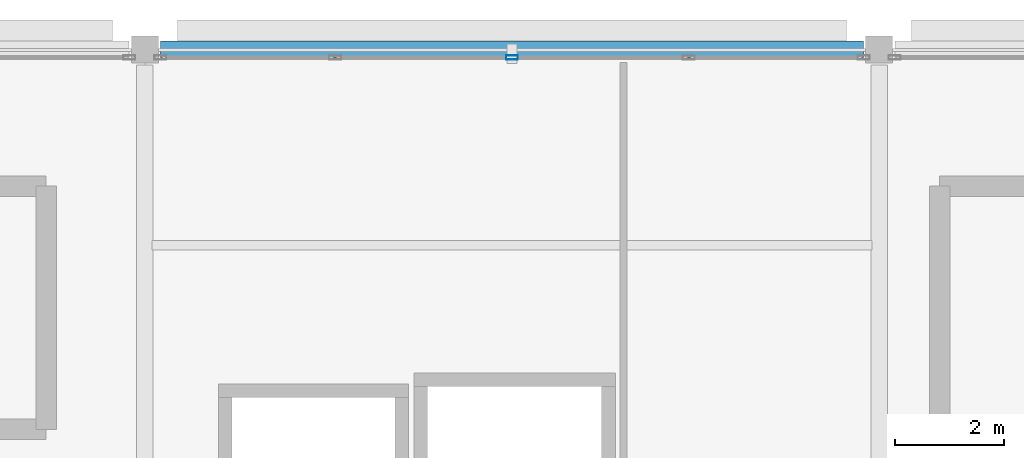
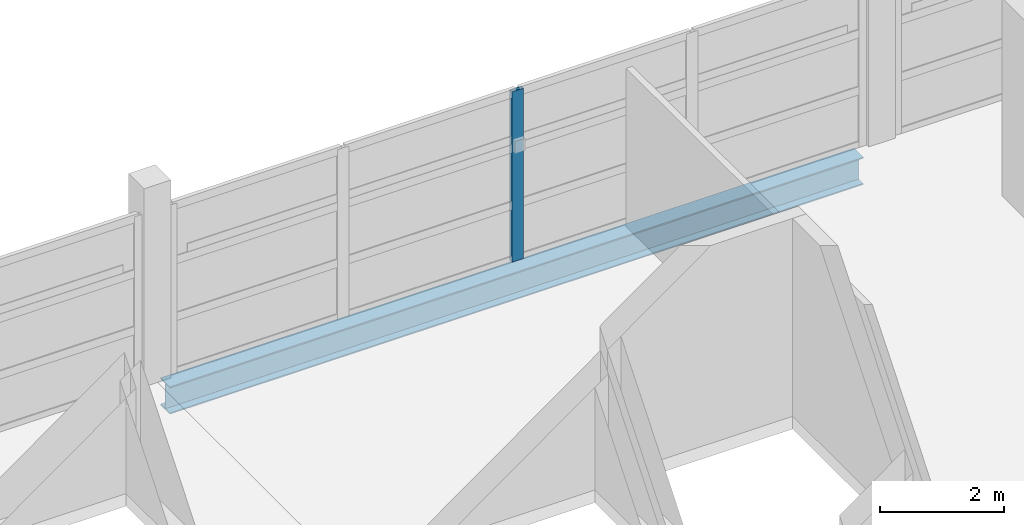
# One storey, part 56 of 110: 1 beam, 1 member, 1 element without a shape of its own.
"""IFC4 building model written with IfcOpenShell, lengths in metres."""

from ifc_helpers import new_model, si_unit, direction, frame, origin, origin_2d, place, context, subcontext, project, spatial, hollow_rectangle, i_section, extrude, material, layer, layer_set, material_profile, profile_set, type_object, element, aggregate, save


model = new_model("IFC4")

# Units and contexts
model_context = context("Model", 3, precision=1e-05, world=origin(), true_north=direction((0.0, 1.0)))
body_context = subcontext(model_context, "Body", "Model", "MODEL_VIEW")
ifc_project = project(units=[si_unit("LENGTHUNIT", "METRE"), si_unit("AREAUNIT", "SQUARE_METRE"), si_unit("VOLUMEUNIT", "CUBIC_METRE"), si_unit("PLANEANGLEUNIT", "RADIAN"), si_unit("MASSUNIT", "GRAM", prefix="KILO")], contexts=[model_context])

# Site, building, storey
site_placement = place(None, origin())
site = spatial("IfcSite", under=ifc_project, at=site_placement, CompositionType="ELEMENT")
building_placement = place(site_placement, origin())
building = spatial("IfcBuilding", under=site, at=building_placement, Name="Tamarisk Ironworks Central Station", CompositionType="ELEMENT")
storey_placement = place(building_placement, frame((0.0, 0.0, 17.39990234375)))
storey = spatial("IfcBuildingStorey", under=building, at=storey_placement, Name="L03", CompositionType="ELEMENT", Elevation=17.39990234375)

# Beam
ifc_material_1 = material(Name="Structural steel S355J2", Category="steel")
ifc_material_profile_1 = material_profile(ifc_material_1, i_section(OverallWidth=0.300048828125, OverallDepth=0.5400390625, WebThickness=0.012451171875, FlangeThickness=0.02392578125, at=origin_2d()), Name="HEA 550")
ifc_profile_set_1 = profile_set([ifc_material_profile_1], Name="Structural steel S355J2")
beam_type = type_object("IfcBeamType", Name="BM-G04", PredefinedType="BEAM", material=ifc_profile_set_1)
beam_placement = place(storey_placement, frame((153.2880859375, 122.39990234375, -0.52001953125), z_axis=(1.0, 0.0, 0.0), x_axis=(0.0, 1.0, 0.0)))
element("IfcBeam", 1, at=beam_placement, inside=storey, type_object=beam_type, Name="L03 primary girder X-0665", PredefinedType="BEAM", context=body_context, shape_type="SweptSolid", body=[
    extrude(i_section(OverallWidth=0.300048828125, OverallDepth=0.5400390625, WebThickness=0.012451171875, FlangeThickness=0.02392578125, at=origin_2d()), origin(), (0.0, 0.0, 1.0), 12.923828125),
])

# Curtain wall, member
ifc_material_2 = material(Name="Anodized aluminium alloy 6063-T6", Category="aluminium")
ifc_layer = layer(ifc_material_2, 0.179931640625)
ifc_layer_set = layer_set([ifc_layer], Name="Anodized aluminium alloy 6063-T6")
curtain_wall_type = type_object("IfcCurtainWallType", Name="CW-18", PredefinedType="USERDEFINED", material=ifc_layer_set)
curtain_wall_placement = place(storey_placement, origin())
curtain_wall = element("IfcCurtainWall", 2, at=curtain_wall_placement, inside=storey, type_object=curtain_wall_type, Name="Operations L03 north facade curtain wall 153", ObjectType="GLAZED CURTAIN WALL", PredefinedType="USERDEFINED")
ifc_material_profile_2 = material_profile(ifc_material_2, hollow_rectangle(XDim=0.074951171875, YDim=0.219970703125, WallThickness=0.00390625, at=origin_2d()), Name="ALUM 220x75")
ifc_profile_set_2 = profile_set([ifc_material_profile_2], Name="Anodized aluminium alloy 6063-T6")
member_type = type_object("IfcMemberType", Name="CWM-01", PredefinedType="MULLION", material=ifc_profile_set_2)
member_placement = place(storey_placement, frame((159.75, 122.25, 0.0), z_axis=(0.0, 0.0, 1.0), x_axis=(0.0, 1.0, 0.0)))
member = element("IfcMember", 3, at=member_placement, type_object=member_type, Name="CW18 mullion 3", PredefinedType="MULLION", context=body_context, shape_type="SweptSolid", body=[
    extrude(hollow_rectangle(XDim=0.074951171875, YDim=0.219970703125, WallThickness=0.00390625, at=origin_2d()), origin(), (0.0, 0.0, 1.0), 3.360107421875),
])
aggregate(curtain_wall, [member])

save(model, "model.ifc")
